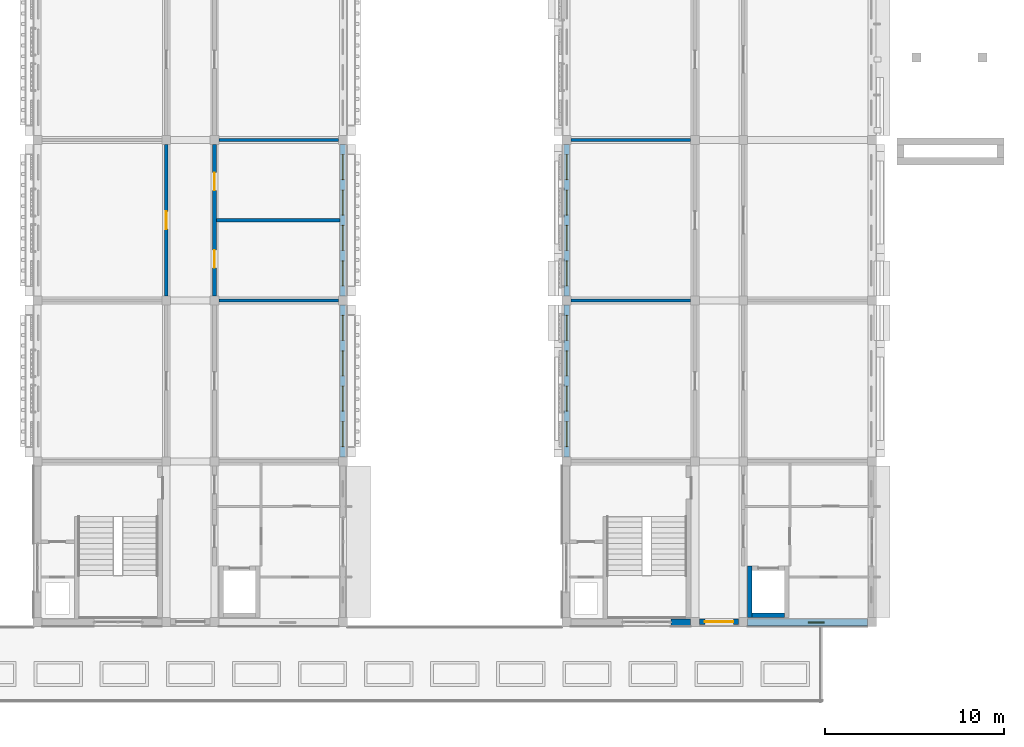
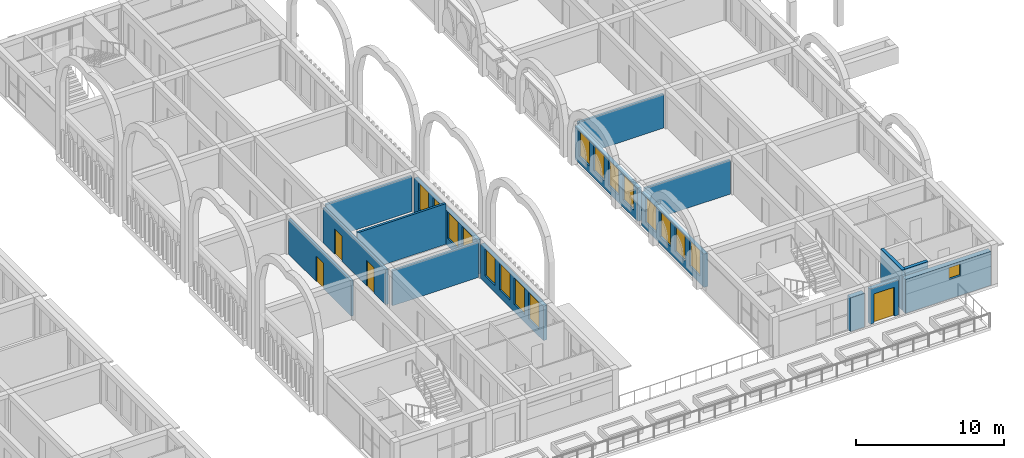
# One storey, part 55 of 82: 17 windows, 16 walls, 4 doors, 21 openings.
"""IFC4 building model written with IfcOpenShell, lengths in metres."""

from ifc_helpers import new_model, si_unit, direction, frame, frame_2d, origin, place, context, subcontext, project, spatial, rectangle, extrude, material, layer, layer_set, type_object, element, fill, save


model = new_model("IFC4")

# Units and contexts
model_context = context("Model", 3, precision=1e-05, world=origin(), true_north=direction((0.0, 1.0)))
body_context = subcontext(model_context, "Body", "Model", "MODEL_VIEW")
ifc_project = project(units=[si_unit("LENGTHUNIT", "METRE"), si_unit("AREAUNIT", "SQUARE_METRE"), si_unit("VOLUMEUNIT", "CUBIC_METRE"), si_unit("PLANEANGLEUNIT", "RADIAN"), si_unit("MASSUNIT", "GRAM", prefix="KILO")], contexts=[model_context])

# Site, building, storey
site_placement = place(None, origin())
site = spatial("IfcSite", under=ifc_project, at=site_placement, CompositionType="ELEMENT")
building_placement = place(site_placement, origin())
building = spatial("IfcBuilding", under=site, at=building_placement, Name="Elbe Cascade School", CompositionType="ELEMENT")
storey_placement = place(building_placement, frame((0.0, 0.0, 4.5)))
storey = spatial("IfcBuildingStorey", under=building, at=storey_placement, Name="L01", CompositionType="ELEMENT", Elevation=4.5)

# Walls
ifc_material_1 = material(Name="Masonry - lime-sand block, plastered", Category="masonry")
ifc_layer_1 = layer(ifc_material_1, 0.175048828125)
ifc_layer_set_1 = layer_set([ifc_layer_1], Name="Masonry - lime-sand block, plastered")
wall_type_1 = type_object("IfcWallType", Name="Bar classroom partition wall lime-sand block 175", PredefinedType="PARTITIONING", material=ifc_layer_set_1)
wall_1_placement = place(storey_placement, frame((138.35009765625, 24.0, 0.0), z_axis=(0.0, 0.0, 1.0), x_axis=(1.0, 0.0, 0.0)))
element("IfcWall", 1, at=wall_1_placement, inside=storey, type_object=wall_type_1, Name="Bar classroom partition wall lime-sand block 175", PredefinedType="PARTITIONING", context=body_context, shape_type="SweptSolid", body=[
    extrude(rectangle(XDim=6.699951171875, YDim=0.175048828125, at=frame_2d((3.35009765625, 0.0))), origin(), (0.0, 0.0, 1.0), 2.89990234375),
])
wall_2_placement = place(storey_placement, frame((138.199951171875, 28.5, 0.0), z_axis=(0.0, 0.0, 1.0), x_axis=(1.0, 0.0, 0.0)))
element("IfcWall", 2, at=wall_2_placement, inside=storey, type_object=wall_type_1, Name="Bar classroom partition wall lime-sand block 175", PredefinedType="PARTITIONING", context=body_context, shape_type="SweptSolid", body=[
    extrude(rectangle(XDim=6.920166015625, YDim=0.175048828125, at=frame_2d((3.4599609375, 0.0))), origin(), (0.0, 0.0, 1.0), 3.35009765625),
])
wall_3_placement = place(storey_placement, frame((138.35009765625, 33.0, 0.0), z_axis=(0.0, 0.0, 1.0), x_axis=(1.0, 0.0, 0.0)))
element("IfcWall", 3, at=wall_3_placement, inside=storey, type_object=wall_type_1, Name="Bar classroom partition wall lime-sand block 175", PredefinedType="PARTITIONING", context=body_context, shape_type="SweptSolid", body=[
    extrude(rectangle(XDim=6.699951171875, YDim=0.175048828125, at=frame_2d((3.35009765625, 0.0))), origin(), (0.0, 0.0, 1.0), 2.89990234375),
])
for number, where, z_axis, x_axis, name in (
    (4, (158.050048828125, 24.0, 0.0), (0.0, 0.0, 1.0), (1.0, 0.0, 0.0), "Bar classroom partition wall lime-sand block 175"),
    (5, (158.050048828125, 33.0, 0.0), (0.0, 0.0, 1.0), (1.0, 0.0, 0.0), "Bar classroom partition wall lime-sand block 175"),
):
    element("IfcWall", number, at=place(storey_placement, frame(where, z_axis=z_axis, x_axis=x_axis)), inside=storey, type_object=wall_type_1, Name=name, PredefinedType="PARTITIONING", context=body_context, shape_type="SweptSolid", body=[
        extrude(rectangle(XDim=6.699951171875, YDim=0.175048828125, at=frame_2d((3.35009765625, 0.0))), origin(), (0.0, 0.0, 1.0), 2.800048828125),
    ])

# Wall, opening, door
ifc_material_2 = material(Name="Masonry - lime-sand block, plastered", Category="masonry")
ifc_layer_2 = layer(ifc_material_2, 0.199951171875)
ifc_layer_set_2 = layer_set([ifc_layer_2], Name="Masonry - lime-sand block, plastered")
wall_type_2 = type_object("IfcWallType", Name="Bar corridor wall lime-sand block 200 EI 30", PredefinedType="PARTITIONING", material=ifc_layer_set_2)
wall_4_placement = place(storey_placement, frame((135.39990234375, 24.25, 0.0), z_axis=(0.0, 0.0, 1.0), x_axis=(0.0, 1.0, 0.0)))
wall_4 = element("IfcWall", 6, at=wall_4_placement, inside=storey, type_object=wall_type_2, Name="Bar corridor wall lime-sand block 200 EI 30", PredefinedType="PARTITIONING", context=body_context, shape_type="SweptSolid", body=[
    extrude(rectangle(XDim=8.5, YDim=0.199951171875, at=frame_2d((4.25, 0.0))), origin(), (0.0, 0.0, 1.0), 2.89990234375),
])
opening_1_placement = place(wall_4_placement, frame((3.75, 0.0, 0.0)))
opening_1 = element("IfcOpeningElement", 7, at=opening_1_placement, cuts=wall_4, Name="Opening D1.069", PredefinedType="OPENING", context=body_context, shape_type="SweptSolid", body=[
    extrude(rectangle(XDim=1.0, YDim=2.10009765625, at=frame_2d((0.5, 1.050048828125))), frame((0.0, 0.10986328125, 0.0), z_axis=(0.0, -1.0, 0.0), x_axis=(1.0, 0.0, 0.0)), (0.0, 0.0, 1.0), 0.219970703125),
])
ifc_material_3 = material(Name="Timber door leaf, fire-resisting, steel frame", Category="steel")
door_type_1 = type_object("IfcDoorType", Name="Bar door FD30 1000x2100", OperationType="NOTDEFINED", PredefinedType="DOOR", material=ifc_material_3)
door_1_placement = place(opening_1_placement, origin())
door_1 = element("IfcDoor", 8, at=door_1_placement, inside=storey, type_object=door_type_1, Name="Door C1.20", OperationType="SINGLE_SWING_LEFT", OverallHeight=2.10009765625, OverallWidth=1.0, PredefinedType="DOOR", context=body_context, shape_type="SweptSolid", body=[
    extrude(rectangle(XDim=1.0, YDim=2.10009765625, at=frame_2d((0.5, 1.050048828125))), frame((0.0, 0.02490234375, 0.0), z_axis=(0.0, -1.0, 0.0), x_axis=(1.0, 0.0, 0.0)), (0.0, 0.0, 1.0), 0.050048828125),
])
fill(opening_1, door_1)

# Wall, openings, doors
wall_5_placement = place(storey_placement, frame((138.10009765625, 32.75, 0.0), z_axis=(0.0, 0.0, 1.0), x_axis=(0.0, -1.0, 0.0)))
wall_5 = element("IfcWall", 9, at=wall_5_placement, inside=storey, type_object=wall_type_2, Name="Bar corridor wall lime-sand block 200 EI 30", PredefinedType="PARTITIONING", context=body_context, shape_type="SweptSolid", body=[
    extrude(rectangle(XDim=8.5, YDim=0.199951171875, at=frame_2d((4.25, 0.0))), origin(), (0.0, 0.0, 1.0), 2.89990234375),
])
opening_2_placement = place(wall_5_placement, frame((5.918701171875, 0.0, 0.0)))
opening_2 = element("IfcOpeningElement", 10, at=opening_2_placement, cuts=wall_5, Name="Opening D1.068", PredefinedType="OPENING", context=body_context, shape_type="SweptSolid", body=[
    extrude(rectangle(XDim=1.0, YDim=2.10009765625, at=frame_2d((0.5, 1.050048828125))), frame((0.0, 0.10986328125, 0.0), z_axis=(0.0, -1.0, 0.0), x_axis=(1.0, 0.0, 0.0)), (0.0, 0.0, 1.0), 0.219970703125),
])
opening_3_placement = place(wall_5_placement, frame((1.581298828125, 0.0, 0.0)))
opening_3 = element("IfcOpeningElement", 11, at=opening_3_placement, cuts=wall_5, Name="Opening D1.070", PredefinedType="OPENING", context=body_context, shape_type="SweptSolid", body=[
    extrude(rectangle(XDim=1.0, YDim=2.10009765625, at=frame_2d((0.5, 1.050048828125))), frame((0.0, 0.10986328125, 0.0), z_axis=(0.0, -1.0, 0.0), x_axis=(1.0, 0.0, 0.0)), (0.0, 0.0, 1.0), 0.219970703125),
])
door_2_placement = place(opening_2_placement, origin())
door_2 = element("IfcDoor", 12, at=door_2_placement, inside=storey, type_object=door_type_1, Name="Door C1.25", OperationType="SINGLE_SWING_RIGHT", OverallHeight=2.10009765625, OverallWidth=1.0, PredefinedType="DOOR", context=body_context, shape_type="SweptSolid", body=[
    extrude(rectangle(XDim=1.0, YDim=2.10009765625, at=frame_2d((0.5, 1.050048828125))), frame((0.0, 0.02490234375, 0.0), z_axis=(0.0, -1.0, 0.0), x_axis=(1.0, 0.0, 0.0)), (0.0, 0.0, 1.0), 0.050048828125),
])
fill(opening_2, door_2)
door_3_placement = place(opening_3_placement, origin())
door_3 = element("IfcDoor", 13, at=door_3_placement, inside=storey, type_object=door_type_1, Name="Door C1.26", OperationType="SINGLE_SWING_LEFT", OverallHeight=2.10009765625, OverallWidth=1.0, PredefinedType="DOOR", context=body_context, shape_type="SweptSolid", body=[
    extrude(rectangle(XDim=1.0, YDim=2.10009765625, at=frame_2d((0.5, 1.050048828125))), frame((0.0, 0.02490234375, 0.0), z_axis=(0.0, -1.0, 0.0), x_axis=(1.0, 0.0, 0.0)), (0.0, 0.0, 1.0), 0.050048828125),
])
fill(opening_3, door_3)

# Wall, openings, windows
ifc_material_4 = material(Name="Brick masonry - red clinker, cavity wall with render backing", Category="masonry")
ifc_layer_3 = layer(ifc_material_4, 0.300048828125)
ifc_layer_set_3 = layer_set([ifc_layer_3], Name="Brick masonry - red clinker, cavity wall with render backing")
wall_type_3 = type_object("IfcWallType", Name="Bars envelope External wall - clinker brick cavity, 300 upper floors", PredefinedType="STANDARD", material=ifc_layer_set_3)
wall_6_placement = place(storey_placement, frame((145.27001953125, 23.75, 0.0), z_axis=(0.0, 0.0, 1.0), x_axis=(0.0, -1.0, 0.0)))
wall_6 = element("IfcWall", 14, at=wall_6_placement, inside=storey, type_object=wall_type_3, Name="External wall W30 C.L01.e2", PredefinedType="STANDARD", context=body_context, shape_type="SweptSolid", body=[
    extrude(rectangle(XDim=8.5, YDim=0.300048828125, at=frame_2d((4.25, 0.0))), origin(), (0.0, 0.0, 1.0), 2.85009765625),
])
opening_4_placement = place(wall_6_placement, frame((6.52001953125, 0.0, 0.60009765625)))
opening_4 = element("IfcOpeningElement", 15, at=opening_4_placement, cuts=wall_6, Name="Opening W1.067", PredefinedType="OPENING", context=body_context, shape_type="SweptSolid", body=[
    extrude(rectangle(XDim=1.39990234375, YDim=2.199951171875, at=frame_2d((0.699951171875, 1.10009765625))), frame((0.0, 0.159912109375, 0.0), z_axis=(0.0, -1.0, 0.0), x_axis=(1.0, 0.0, 0.0)), (0.0, 0.0, 1.0), 0.320068359375),
])
opening_5_placement = place(wall_6_placement, frame((4.5400390625, 0.0, 0.60009765625)))
opening_5 = element("IfcOpeningElement", 16, at=opening_5_placement, cuts=wall_6, Name="Opening W1.069", PredefinedType="OPENING", context=body_context, shape_type="SweptSolid", body=[
    extrude(rectangle(XDim=1.39990234375, YDim=2.199951171875, at=frame_2d((0.699951171875, 1.10009765625))), frame((0.0, 0.159912109375, 0.0), z_axis=(0.0, -1.0, 0.0), x_axis=(1.0, 0.0, 0.0)), (0.0, 0.0, 1.0), 0.320068359375),
])
opening_6_placement = place(wall_6_placement, frame((2.56005859375, 0.0, 0.60009765625)))
opening_6 = element("IfcOpeningElement", 17, at=opening_6_placement, cuts=wall_6, Name="Opening W1.071", PredefinedType="OPENING", context=body_context, shape_type="SweptSolid", body=[
    extrude(rectangle(XDim=1.39990234375, YDim=2.199951171875, at=frame_2d((0.699951171875, 1.10009765625))), frame((0.0, 0.159912109375, 0.0), z_axis=(0.0, -1.0, 0.0), x_axis=(1.0, 0.0, 0.0)), (0.0, 0.0, 1.0), 0.320068359375),
])
opening_7_placement = place(wall_6_placement, frame((0.580078125, 0.0, 0.60009765625)))
opening_7 = element("IfcOpeningElement", 18, at=opening_7_placement, cuts=wall_6, Name="Opening W1.073", PredefinedType="OPENING", context=body_context, shape_type="SweptSolid", body=[
    extrude(rectangle(XDim=1.39990234375, YDim=2.199951171875, at=frame_2d((0.699951171875, 1.10009765625))), frame((0.0, 0.159912109375, 0.0), z_axis=(0.0, -1.0, 0.0), x_axis=(1.0, 0.0, 0.0)), (0.0, 0.0, 1.0), 0.320068359375),
])
ifc_material_5 = material(Name="Aluminium frame with double glazing, bronze anodised", Category="aluminium")
window_type_1 = type_object("IfcWindowType", Name="Bars envelope Window 1400 x 2200, classroom, aluminium double glazed", PartitioningType="DOUBLE_PANEL_VERTICAL", PredefinedType="WINDOW", material=ifc_material_5)
window_1_placement = place(opening_4_placement, origin())
window_1 = element("IfcWindow", 19, at=window_1_placement, inside=storey, type_object=window_type_1, Name="Window WN7 C.L01.e2.1", OverallHeight=2.199951171875, OverallWidth=1.39990234375, PartitioningType="DOUBLE_PANEL_VERTICAL", PredefinedType="WINDOW", context=body_context, shape_type="SweptSolid", body=[
    extrude(rectangle(XDim=1.39990234375, YDim=2.199951171875, at=frame_2d((0.699951171875, 1.10009765625))), frame((0.0, 0.030029296875, 0.0), z_axis=(0.0, -1.0, 0.0), x_axis=(1.0, 0.0, 0.0)), (0.0, 0.0, 1.0), 0.06005859375),
])
fill(opening_4, window_1)
window_2_placement = place(opening_5_placement, origin())
window_2 = element("IfcWindow", 20, at=window_2_placement, inside=storey, type_object=window_type_1, Name="Window WN7 C.L01.e2.2", OverallHeight=2.199951171875, OverallWidth=1.39990234375, PartitioningType="DOUBLE_PANEL_VERTICAL", PredefinedType="WINDOW", context=body_context, shape_type="SweptSolid", body=[
    extrude(rectangle(XDim=1.39990234375, YDim=2.199951171875, at=frame_2d((0.699951171875, 1.10009765625))), frame((0.0, 0.030029296875, 0.0), z_axis=(0.0, -1.0, 0.0), x_axis=(1.0, 0.0, 0.0)), (0.0, 0.0, 1.0), 0.06005859375),
])
fill(opening_5, window_2)
window_3_placement = place(opening_6_placement, origin())
window_3 = element("IfcWindow", 21, at=window_3_placement, inside=storey, type_object=window_type_1, Name="Window WN7 C.L01.e2.3", OverallHeight=2.199951171875, OverallWidth=1.39990234375, PartitioningType="DOUBLE_PANEL_VERTICAL", PredefinedType="WINDOW", context=body_context, shape_type="SweptSolid", body=[
    extrude(rectangle(XDim=1.39990234375, YDim=2.199951171875, at=frame_2d((0.699951171875, 1.10009765625))), frame((0.0, 0.030029296875, 0.0), z_axis=(0.0, -1.0, 0.0), x_axis=(1.0, 0.0, 0.0)), (0.0, 0.0, 1.0), 0.06005859375),
])
fill(opening_6, window_3)
window_4_placement = place(opening_7_placement, origin())
window_4 = element("IfcWindow", 22, at=window_4_placement, inside=storey, type_object=window_type_1, Name="Window WN7 C.L01.e2.4", OverallHeight=2.199951171875, OverallWidth=1.39990234375, PartitioningType="DOUBLE_PANEL_VERTICAL", PredefinedType="WINDOW", context=body_context, shape_type="SweptSolid", body=[
    extrude(rectangle(XDim=1.39990234375, YDim=2.199951171875, at=frame_2d((0.699951171875, 1.10009765625))), frame((0.0, 0.030029296875, 0.0), z_axis=(0.0, -1.0, 0.0), x_axis=(1.0, 0.0, 0.0)), (0.0, 0.0, 1.0), 0.06005859375),
])
fill(opening_7, window_4)

wall_7_placement = place(storey_placement, frame((145.27001953125, 32.75, 0.0), z_axis=(0.0, 0.0, 1.0), x_axis=(0.0, -1.0, 0.0)))
wall_7 = element("IfcWall", 23, at=wall_7_placement, inside=storey, type_object=wall_type_3, Name="External wall W30 C.L01.e3", PredefinedType="STANDARD", context=body_context, shape_type="SweptSolid", body=[
    extrude(rectangle(XDim=8.5, YDim=0.300048828125, at=frame_2d((4.25, 0.0))), origin(), (0.0, 0.0, 1.0), 2.85009765625),
])
opening_8_placement = place(wall_7_placement, frame((6.52001953125, 0.0, 0.60009765625)))
opening_8 = element("IfcOpeningElement", 24, at=opening_8_placement, cuts=wall_7, Name="Opening W1.075", PredefinedType="OPENING", context=body_context, shape_type="SweptSolid", body=[
    extrude(rectangle(XDim=1.39990234375, YDim=2.199951171875, at=frame_2d((0.699951171875, 1.10009765625))), frame((0.0, 0.159912109375, 0.0), z_axis=(0.0, -1.0, 0.0), x_axis=(1.0, 0.0, 0.0)), (0.0, 0.0, 1.0), 0.320068359375),
])
opening_9_placement = place(wall_7_placement, frame((4.5400390625, 0.0, 0.60009765625)))
opening_9 = element("IfcOpeningElement", 25, at=opening_9_placement, cuts=wall_7, Name="Opening W1.077", PredefinedType="OPENING", context=body_context, shape_type="SweptSolid", body=[
    extrude(rectangle(XDim=1.39990234375, YDim=2.199951171875, at=frame_2d((0.699951171875, 1.10009765625))), frame((0.0, 0.159912109375, 0.0), z_axis=(0.0, -1.0, 0.0), x_axis=(1.0, 0.0, 0.0)), (0.0, 0.0, 1.0), 0.320068359375),
])
opening_10_placement = place(wall_7_placement, frame((2.56005859375, 0.0, 0.60009765625)))
opening_10 = element("IfcOpeningElement", 26, at=opening_10_placement, cuts=wall_7, Name="Opening W1.079", PredefinedType="OPENING", context=body_context, shape_type="SweptSolid", body=[
    extrude(rectangle(XDim=1.39990234375, YDim=2.199951171875, at=frame_2d((0.699951171875, 1.10009765625))), frame((0.0, 0.159912109375, 0.0), z_axis=(0.0, -1.0, 0.0), x_axis=(1.0, 0.0, 0.0)), (0.0, 0.0, 1.0), 0.320068359375),
])
opening_11_placement = place(wall_7_placement, frame((0.580078125, 0.0, 0.60009765625)))
opening_11 = element("IfcOpeningElement", 27, at=opening_11_placement, cuts=wall_7, Name="Opening W1.081", PredefinedType="OPENING", context=body_context, shape_type="SweptSolid", body=[
    extrude(rectangle(XDim=1.39990234375, YDim=2.199951171875, at=frame_2d((0.699951171875, 1.10009765625))), frame((0.0, 0.159912109375, 0.0), z_axis=(0.0, -1.0, 0.0), x_axis=(1.0, 0.0, 0.0)), (0.0, 0.0, 1.0), 0.320068359375),
])
window_5_placement = place(opening_8_placement, origin())
window_5 = element("IfcWindow", 28, at=window_5_placement, inside=storey, type_object=window_type_1, Name="Window WN7 C.L01.e3.1", OverallHeight=2.199951171875, OverallWidth=1.39990234375, PartitioningType="DOUBLE_PANEL_VERTICAL", PredefinedType="WINDOW", context=body_context, shape_type="SweptSolid", body=[
    extrude(rectangle(XDim=1.39990234375, YDim=2.199951171875, at=frame_2d((0.699951171875, 1.10009765625))), frame((0.0, 0.030029296875, 0.0), z_axis=(0.0, -1.0, 0.0), x_axis=(1.0, 0.0, 0.0)), (0.0, 0.0, 1.0), 0.06005859375),
])
fill(opening_8, window_5)
window_6_placement = place(opening_9_placement, origin())
window_6 = element("IfcWindow", 29, at=window_6_placement, inside=storey, type_object=window_type_1, Name="Window WN7 C.L01.e3.2", OverallHeight=2.199951171875, OverallWidth=1.39990234375, PartitioningType="DOUBLE_PANEL_VERTICAL", PredefinedType="WINDOW", context=body_context, shape_type="SweptSolid", body=[
    extrude(rectangle(XDim=1.39990234375, YDim=2.199951171875, at=frame_2d((0.699951171875, 1.10009765625))), frame((0.0, 0.030029296875, 0.0), z_axis=(0.0, -1.0, 0.0), x_axis=(1.0, 0.0, 0.0)), (0.0, 0.0, 1.0), 0.06005859375),
])
fill(opening_9, window_6)
window_7_placement = place(opening_10_placement, origin())
window_7 = element("IfcWindow", 30, at=window_7_placement, inside=storey, type_object=window_type_1, Name="Window WN7 C.L01.e3.3", OverallHeight=2.199951171875, OverallWidth=1.39990234375, PartitioningType="DOUBLE_PANEL_VERTICAL", PredefinedType="WINDOW", context=body_context, shape_type="SweptSolid", body=[
    extrude(rectangle(XDim=1.39990234375, YDim=2.199951171875, at=frame_2d((0.699951171875, 1.10009765625))), frame((0.0, 0.030029296875, 0.0), z_axis=(0.0, -1.0, 0.0), x_axis=(1.0, 0.0, 0.0)), (0.0, 0.0, 1.0), 0.06005859375),
])
fill(opening_10, window_7)
window_8_placement = place(opening_11_placement, origin())
window_8 = element("IfcWindow", 31, at=window_8_placement, inside=storey, type_object=window_type_1, Name="Window WN7 C.L01.e3.4", OverallHeight=2.199951171875, OverallWidth=1.39990234375, PartitioningType="DOUBLE_PANEL_VERTICAL", PredefinedType="WINDOW", context=body_context, shape_type="SweptSolid", body=[
    extrude(rectangle(XDim=1.39990234375, YDim=2.199951171875, at=frame_2d((0.699951171875, 1.10009765625))), frame((0.0, 0.030029296875, 0.0), z_axis=(0.0, -1.0, 0.0), x_axis=(1.0, 0.0, 0.0)), (0.0, 0.0, 1.0), 0.06005859375),
])
fill(opening_11, window_8)

wall_8_placement = place(storey_placement, frame((157.830078125, 15.25, 0.0), z_axis=(0.0, 0.0, 1.0), x_axis=(0.0, 1.0, 0.0)))
wall_8 = element("IfcWall", 32, at=wall_8_placement, inside=storey, type_object=wall_type_3, Name="External wall W30 D.L01.w2", PredefinedType="STANDARD", context=body_context, shape_type="SweptSolid", body=[
    extrude(rectangle(XDim=8.5, YDim=0.300048828125, at=frame_2d((4.25, 0.0))), origin(), (0.0, 0.0, 1.0), 2.75),
])
opening_12_placement = place(wall_8_placement, frame((0.580078125, 0.0, 0.60009765625)))
opening_12 = element("IfcOpeningElement", 33, at=opening_12_placement, cuts=wall_8, Name="Opening W1.106", PredefinedType="OPENING", context=body_context, shape_type="SweptSolid", body=[
    extrude(rectangle(XDim=1.39990234375, YDim=2.10009765625, at=frame_2d((0.699951171875, 1.050048828125))), frame((0.0, 0.159912109375, 0.0), z_axis=(0.0, -1.0, 0.0), x_axis=(1.0, 0.0, 0.0)), (0.0, 0.0, 1.0), 0.320068359375),
])
opening_13_placement = place(wall_8_placement, frame((2.56005859375, 0.0, 0.60009765625)))
opening_13 = element("IfcOpeningElement", 34, at=opening_13_placement, cuts=wall_8, Name="Opening W1.108", PredefinedType="OPENING", context=body_context, shape_type="SweptSolid", body=[
    extrude(rectangle(XDim=1.39990234375, YDim=2.10009765625, at=frame_2d((0.699951171875, 1.050048828125))), frame((0.0, 0.159912109375, 0.0), z_axis=(0.0, -1.0, 0.0), x_axis=(1.0, 0.0, 0.0)), (0.0, 0.0, 1.0), 0.320068359375),
])
opening_14_placement = place(wall_8_placement, frame((4.5400390625, 0.0, 0.60009765625)))
opening_14 = element("IfcOpeningElement", 35, at=opening_14_placement, cuts=wall_8, Name="Opening W1.110", PredefinedType="OPENING", context=body_context, shape_type="SweptSolid", body=[
    extrude(rectangle(XDim=1.39990234375, YDim=2.10009765625, at=frame_2d((0.699951171875, 1.050048828125))), frame((0.0, 0.159912109375, 0.0), z_axis=(0.0, -1.0, 0.0), x_axis=(1.0, 0.0, 0.0)), (0.0, 0.0, 1.0), 0.320068359375),
])
opening_15_placement = place(wall_8_placement, frame((6.52001953125, 0.0, 0.60009765625)))
opening_15 = element("IfcOpeningElement", 36, at=opening_15_placement, cuts=wall_8, Name="Opening W1.112", PredefinedType="OPENING", context=body_context, shape_type="SweptSolid", body=[
    extrude(rectangle(XDim=1.39990234375, YDim=2.10009765625, at=frame_2d((0.699951171875, 1.050048828125))), frame((0.0, 0.159912109375, 0.0), z_axis=(0.0, -1.0, 0.0), x_axis=(1.0, 0.0, 0.0)), (0.0, 0.0, 1.0), 0.320068359375),
])
ifc_material_6 = material(Name="Aluminium frame with double glazing, bronze anodised", Category="aluminium")
window_type_2 = type_object("IfcWindowType", Name="Bars envelope Window 1400 x 2100, classroom, aluminium double glazed", PartitioningType="DOUBLE_PANEL_VERTICAL", PredefinedType="WINDOW", material=ifc_material_6)
window_9_placement = place(opening_12_placement, origin())
window_9 = element("IfcWindow", 37, at=window_9_placement, inside=storey, type_object=window_type_2, Name="Window WN8 D.L01.w2.1", OverallHeight=2.10009765625, OverallWidth=1.39990234375, PartitioningType="DOUBLE_PANEL_VERTICAL", PredefinedType="WINDOW", context=body_context, shape_type="SweptSolid", body=[
    extrude(rectangle(XDim=1.39990234375, YDim=2.10009765625, at=frame_2d((0.699951171875, 1.050048828125))), frame((0.0, 0.030029296875, 0.0), z_axis=(0.0, -1.0, 0.0), x_axis=(1.0, 0.0, 0.0)), (0.0, 0.0, 1.0), 0.06005859375),
])
fill(opening_12, window_9)
window_10_placement = place(opening_13_placement, origin())
window_10 = element("IfcWindow", 38, at=window_10_placement, inside=storey, type_object=window_type_2, Name="Window WN8 D.L01.w2.2", OverallHeight=2.10009765625, OverallWidth=1.39990234375, PartitioningType="DOUBLE_PANEL_VERTICAL", PredefinedType="WINDOW", context=body_context, shape_type="SweptSolid", body=[
    extrude(rectangle(XDim=1.39990234375, YDim=2.10009765625, at=frame_2d((0.699951171875, 1.050048828125))), frame((0.0, 0.030029296875, 0.0), z_axis=(0.0, -1.0, 0.0), x_axis=(1.0, 0.0, 0.0)), (0.0, 0.0, 1.0), 0.06005859375),
])
fill(opening_13, window_10)
window_11_placement = place(opening_14_placement, origin())
window_11 = element("IfcWindow", 39, at=window_11_placement, inside=storey, type_object=window_type_2, Name="Window WN8 D.L01.w2.3", OverallHeight=2.10009765625, OverallWidth=1.39990234375, PartitioningType="DOUBLE_PANEL_VERTICAL", PredefinedType="WINDOW", context=body_context, shape_type="SweptSolid", body=[
    extrude(rectangle(XDim=1.39990234375, YDim=2.10009765625, at=frame_2d((0.699951171875, 1.050048828125))), frame((0.0, 0.030029296875, 0.0), z_axis=(0.0, -1.0, 0.0), x_axis=(1.0, 0.0, 0.0)), (0.0, 0.0, 1.0), 0.06005859375),
])
fill(opening_14, window_11)
window_12_placement = place(opening_15_placement, origin())
window_12 = element("IfcWindow", 40, at=window_12_placement, inside=storey, type_object=window_type_2, Name="Window WN8 D.L01.w2.4", OverallHeight=2.10009765625, OverallWidth=1.39990234375, PartitioningType="DOUBLE_PANEL_VERTICAL", PredefinedType="WINDOW", context=body_context, shape_type="SweptSolid", body=[
    extrude(rectangle(XDim=1.39990234375, YDim=2.10009765625, at=frame_2d((0.699951171875, 1.050048828125))), frame((0.0, 0.030029296875, 0.0), z_axis=(0.0, -1.0, 0.0), x_axis=(1.0, 0.0, 0.0)), (0.0, 0.0, 1.0), 0.06005859375),
])
fill(opening_15, window_12)

wall_9_placement = place(storey_placement, frame((157.830078125, 24.25, 0.0), z_axis=(0.0, 0.0, 1.0), x_axis=(0.0, 1.0, 0.0)))
wall_9 = element("IfcWall", 41, at=wall_9_placement, inside=storey, type_object=wall_type_3, Name="External wall W30 D.L01.w3", PredefinedType="STANDARD", context=body_context, shape_type="SweptSolid", body=[
    extrude(rectangle(XDim=8.5, YDim=0.300048828125, at=frame_2d((4.25, 0.0))), origin(), (0.0, 0.0, 1.0), 2.75),
])
opening_16_placement = place(wall_9_placement, frame((0.580078125, 0.0, 0.60009765625)))
opening_16 = element("IfcOpeningElement", 42, at=opening_16_placement, cuts=wall_9, Name="Opening W1.114", PredefinedType="OPENING", context=body_context, shape_type="SweptSolid", body=[
    extrude(rectangle(XDim=1.39990234375, YDim=2.10009765625, at=frame_2d((0.699951171875, 1.050048828125))), frame((0.0, 0.159912109375, 0.0), z_axis=(0.0, -1.0, 0.0), x_axis=(1.0, 0.0, 0.0)), (0.0, 0.0, 1.0), 0.320068359375),
])
opening_17_placement = place(wall_9_placement, frame((2.56005859375, 0.0, 0.60009765625)))
opening_17 = element("IfcOpeningElement", 43, at=opening_17_placement, cuts=wall_9, Name="Opening W1.116", PredefinedType="OPENING", context=body_context, shape_type="SweptSolid", body=[
    extrude(rectangle(XDim=1.39990234375, YDim=2.10009765625, at=frame_2d((0.699951171875, 1.050048828125))), frame((0.0, 0.159912109375, 0.0), z_axis=(0.0, -1.0, 0.0), x_axis=(1.0, 0.0, 0.0)), (0.0, 0.0, 1.0), 0.320068359375),
])
opening_18_placement = place(wall_9_placement, frame((4.5400390625, 0.0, 0.60009765625)))
opening_18 = element("IfcOpeningElement", 44, at=opening_18_placement, cuts=wall_9, Name="Opening W1.118", PredefinedType="OPENING", context=body_context, shape_type="SweptSolid", body=[
    extrude(rectangle(XDim=1.39990234375, YDim=2.10009765625, at=frame_2d((0.699951171875, 1.050048828125))), frame((0.0, 0.159912109375, 0.0), z_axis=(0.0, -1.0, 0.0), x_axis=(1.0, 0.0, 0.0)), (0.0, 0.0, 1.0), 0.320068359375),
])
opening_19_placement = place(wall_9_placement, frame((6.52001953125, 0.0, 0.60009765625)))
opening_19 = element("IfcOpeningElement", 45, at=opening_19_placement, cuts=wall_9, Name="Opening W1.120", PredefinedType="OPENING", context=body_context, shape_type="SweptSolid", body=[
    extrude(rectangle(XDim=1.39990234375, YDim=2.10009765625, at=frame_2d((0.699951171875, 1.050048828125))), frame((0.0, 0.159912109375, 0.0), z_axis=(0.0, -1.0, 0.0), x_axis=(1.0, 0.0, 0.0)), (0.0, 0.0, 1.0), 0.320068359375),
])
window_13_placement = place(opening_16_placement, origin())
window_13 = element("IfcWindow", 46, at=window_13_placement, inside=storey, type_object=window_type_2, Name="Window WN8 D.L01.w3.1", OverallHeight=2.10009765625, OverallWidth=1.39990234375, PartitioningType="DOUBLE_PANEL_VERTICAL", PredefinedType="WINDOW", context=body_context, shape_type="SweptSolid", body=[
    extrude(rectangle(XDim=1.39990234375, YDim=2.10009765625, at=frame_2d((0.699951171875, 1.050048828125))), frame((0.0, 0.030029296875, 0.0), z_axis=(0.0, -1.0, 0.0), x_axis=(1.0, 0.0, 0.0)), (0.0, 0.0, 1.0), 0.06005859375),
])
fill(opening_16, window_13)
window_14_placement = place(opening_17_placement, origin())
window_14 = element("IfcWindow", 47, at=window_14_placement, inside=storey, type_object=window_type_2, Name="Window WN8 D.L01.w3.2", OverallHeight=2.10009765625, OverallWidth=1.39990234375, PartitioningType="DOUBLE_PANEL_VERTICAL", PredefinedType="WINDOW", context=body_context, shape_type="SweptSolid", body=[
    extrude(rectangle(XDim=1.39990234375, YDim=2.10009765625, at=frame_2d((0.699951171875, 1.050048828125))), frame((0.0, 0.030029296875, 0.0), z_axis=(0.0, -1.0, 0.0), x_axis=(1.0, 0.0, 0.0)), (0.0, 0.0, 1.0), 0.06005859375),
])
fill(opening_17, window_14)
window_15_placement = place(opening_18_placement, origin())
window_15 = element("IfcWindow", 48, at=window_15_placement, inside=storey, type_object=window_type_2, Name="Window WN8 D.L01.w3.3", OverallHeight=2.10009765625, OverallWidth=1.39990234375, PartitioningType="DOUBLE_PANEL_VERTICAL", PredefinedType="WINDOW", context=body_context, shape_type="SweptSolid", body=[
    extrude(rectangle(XDim=1.39990234375, YDim=2.10009765625, at=frame_2d((0.699951171875, 1.050048828125))), frame((0.0, 0.030029296875, 0.0), z_axis=(0.0, -1.0, 0.0), x_axis=(1.0, 0.0, 0.0)), (0.0, 0.0, 1.0), 0.06005859375),
])
fill(opening_18, window_15)
window_16_placement = place(opening_19_placement, origin())
window_16 = element("IfcWindow", 49, at=window_16_placement, inside=storey, type_object=window_type_2, Name="Window WN8 D.L01.w3.4", OverallHeight=2.10009765625, OverallWidth=1.39990234375, PartitioningType="DOUBLE_PANEL_VERTICAL", PredefinedType="WINDOW", context=body_context, shape_type="SweptSolid", body=[
    extrude(rectangle(XDim=1.39990234375, YDim=2.10009765625, at=frame_2d((0.699951171875, 1.050048828125))), frame((0.0, 0.030029296875, 0.0), z_axis=(0.0, -1.0, 0.0), x_axis=(1.0, 0.0, 0.0)), (0.0, 0.0, 1.0), 0.06005859375),
])
fill(opening_19, window_16)

# Wall, opening, door
wall_10_placement = place(storey_placement, frame((167.449951171875, 6.030029296875, 0.0), z_axis=(0.0, 0.0, 1.0), x_axis=(-1.0, 0.0, 0.0)))
wall_10 = element("IfcWall", 50, at=wall_10_placement, inside=storey, type_object=wall_type_3, Name="External wall W30 D.L01.s2", PredefinedType="STANDARD", context=body_context, shape_type="SweptSolid", body=[
    extrude(rectangle(XDim=2.199951171875, YDim=0.300048828125, at=frame_2d((1.10009765625, 0.0))), origin(), (0.0, 0.0, 1.0), 2.89990234375),
])
opening_20_placement = place(wall_10_placement, frame((0.300048828125, 0.0, 0.0)))
opening_20 = element("IfcOpeningElement", 51, at=opening_20_placement, cuts=wall_10, Name="Opening D1.083", PredefinedType="OPENING", context=body_context, shape_type="SweptSolid", body=[
    extrude(rectangle(XDim=1.60009765625, YDim=2.39990234375, at=frame_2d((0.800048828125, 1.199951171875))), frame((0.0, 0.159912109375, 0.0), z_axis=(0.0, -1.0, 0.0), x_axis=(1.0, 0.0, 0.0)), (0.0, 0.0, 1.0), 0.320068359375),
])
ifc_material_7 = material(Name="Aluminium and glass fire-resisting door set", Category="aluminium")
door_type_2 = type_object("IfcDoorType", Name="Bars envelope Terrace door, double leaf, glazed, 1600 x 2400, fire resisting", OperationType="DOUBLE_DOOR_SINGLE_SWING", PredefinedType="DOOR", material=ifc_material_7)
door_4_placement = place(opening_20_placement, origin())
door_4 = element("IfcDoor", 52, at=door_4_placement, inside=storey, type_object=door_type_2, Name="Terrace door D17 D.L01.s2", OperationType="DOUBLE_DOOR_SINGLE_SWING", OverallHeight=2.39990234375, OverallWidth=1.60009765625, PredefinedType="DOOR", context=body_context, shape_type="SweptSolid", body=[
    extrude(rectangle(XDim=1.60009765625, YDim=2.39990234375, at=frame_2d((0.800048828125, 1.199951171875))), frame((0.0, 0.02490234375, 0.0), z_axis=(0.0, -1.0, 0.0), x_axis=(1.0, 0.0, 0.0)), (0.0, 0.0, 1.0), 0.050048828125),
])
fill(opening_20, door_4)

# Wall
ifc_material_8 = material(Name="Brick masonry - red clinker, solid, sandstone-faced", Category="masonry")
ifc_layer_4 = layer(ifc_material_8, 0.39990234375)
ifc_layer_set_4 = layer_set([ifc_layer_4], Name="Brick masonry - red clinker, solid, sandstone-faced")
wall_type_4 = type_object("IfcWallType", Name="Bars envelope External wall - solid masonry core strip, sandstone faced, 400", PredefinedType="STANDARD", material=ifc_layer_set_4)
wall_11_placement = place(storey_placement, frame((164.75, 5.97998046875, 0.0), z_axis=(0.0, 0.0, 1.0), x_axis=(-1.0, 0.0, 0.0)))
element("IfcWall", 53, at=wall_11_placement, inside=storey, type_object=wall_type_4, Name="External wall W31 D.L01.s1b", PredefinedType="STANDARD", context=body_context, shape_type="SweptSolid", body=[
    extrude(rectangle(XDim=1.10009765625, YDim=0.39990234375, at=frame_2d((0.550048828125, 0.0))), origin(), (0.0, 0.0, 1.0), 2.800048828125),
])

# Wall, opening, window
wall_12_placement = place(storey_placement, frame((174.64990234375, 5.97998046875, 0.0), z_axis=(0.0, 0.0, 1.0), x_axis=(-1.0, 0.0, 0.0)))
wall_12 = element("IfcWall", 54, at=wall_12_placement, inside=storey, type_object=wall_type_4, Name="External wall W31 D.L01.s3", PredefinedType="STANDARD", context=body_context, shape_type="SweptSolid", body=[
    extrude(rectangle(XDim=6.699951171875, YDim=0.39990234375, at=frame_2d((3.35009765625, 0.0))), origin(), (0.0, 0.0, 1.0), 2.800048828125),
])
opening_21_placement = place(wall_12_placement, frame((2.39990234375, 0.0, 1.60009765625)))
opening_21 = element("IfcOpeningElement", 55, at=opening_21_placement, cuts=wall_12, Name="Opening W1.103", PredefinedType="OPENING", context=body_context, shape_type="SweptSolid", body=[
    extrude(rectangle(XDim=0.89990234375, YDim=1.0, at=frame_2d((0.449951171875, 0.5))), frame((0.0, 0.2099609375, 0.0), z_axis=(0.0, -1.0, 0.0), x_axis=(1.0, 0.0, 0.0)), (0.0, 0.0, 1.0), 0.419921875),
])
ifc_material_9 = material(Name="Aluminium frame with double glazing, bronze anodised", Category="aluminium")
window_type_3 = type_object("IfcWindowType", Name="Bars envelope Window 900 x 1000, WC and service room, high level, aluminium double glazed", PartitioningType="SINGLE_PANEL", PredefinedType="WINDOW", material=ifc_material_9)
window_17_placement = place(opening_21_placement, origin())
window_17 = element("IfcWindow", 56, at=window_17_placement, inside=storey, type_object=window_type_3, Name="Window WN4 D.L01.s3.1", OverallHeight=1.0, OverallWidth=0.89990234375, PartitioningType="SINGLE_PANEL", PredefinedType="WINDOW", context=body_context, shape_type="SweptSolid", body=[
    extrude(rectangle(XDim=0.89990234375, YDim=1.0, at=frame_2d((0.449951171875, 0.5))), frame((0.0, 0.030029296875, 0.0), z_axis=(0.0, -1.0, 0.0), x_axis=(1.0, 0.0, 0.0)), (0.0, 0.0, 1.0), 0.06005859375),
])
fill(opening_21, window_17)

# Walls
ifc_material_10 = material(Name="Concrete C30/37", Category="concrete")
ifc_layer_5 = layer(ifc_material_10, 0.25)
ifc_layer_set_5 = layer_set([ifc_layer_5], Name="Concrete C30/37")
wall_type_5 = type_object("IfcWallType", Name="Shaft wall 250", PredefinedType="SHEAR", material=ifc_layer_set_5)
wall_13_placement = place(storey_placement, frame((168.074951171875, 6.25, 0.0), z_axis=(0.0, 0.0, 1.0), x_axis=(0.0, 1.0, 0.0)))
element("IfcWall", 57, at=wall_13_placement, inside=storey, type_object=wall_type_5, Name="Shaft wall 250 W1", PredefinedType="SHEAR", context=body_context, shape_type="SweptSolid", body=[
    extrude(rectangle(XDim=2.89990234375, YDim=0.25, at=frame_2d((1.449951171875, 0.0))), origin(), (0.0, 0.0, 1.0), 3.300048828125),
])
wall_14_placement = place(storey_placement, frame((168.199951171875, 6.375, 0.0), z_axis=(0.0, 0.0, 1.0), x_axis=(1.0, 0.0, 0.0)))
element("IfcWall", 58, at=wall_14_placement, inside=storey, type_object=wall_type_5, Name="Shaft wall 250 W1", PredefinedType="SHEAR", context=body_context, shape_type="SweptSolid", body=[
    extrude(rectangle(XDim=1.800048828125, YDim=0.25, at=frame_2d((0.89990234375, 0.0))), origin(), (0.0, 0.0, 1.0), 3.300048828125),
])

save(model, "model.ifc")
